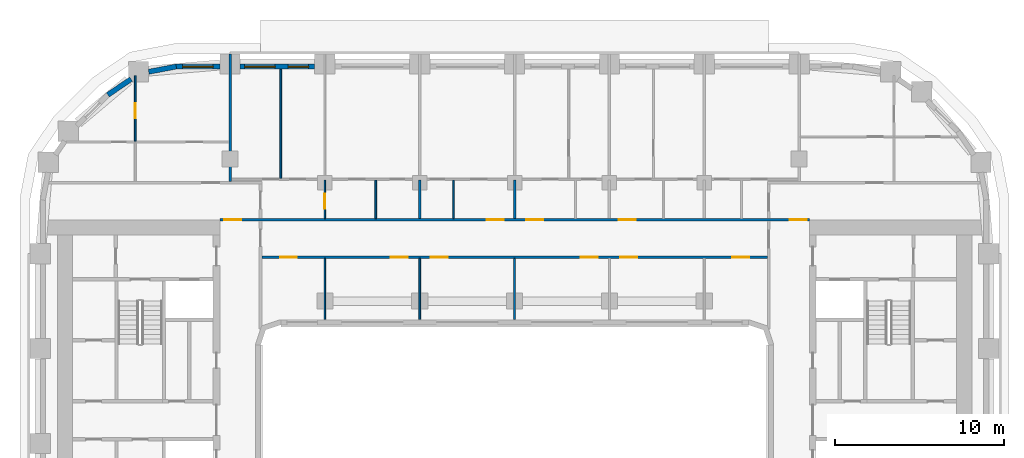
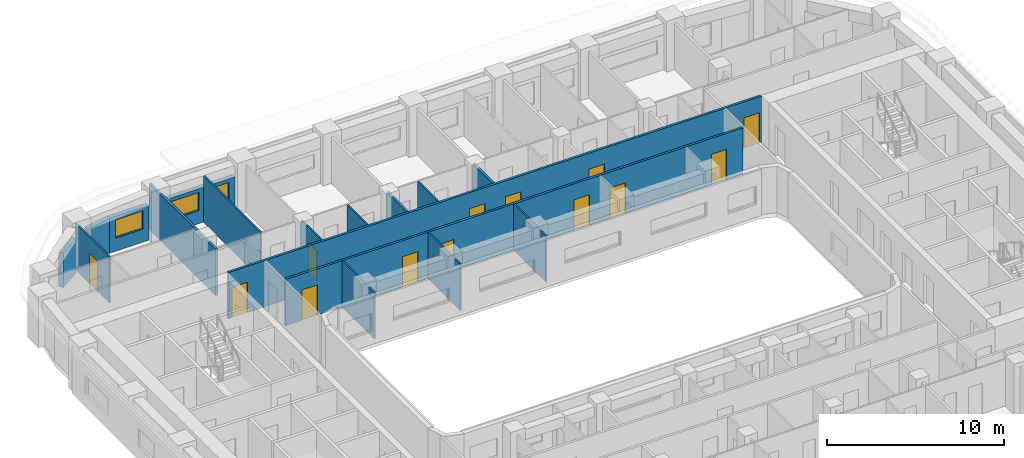
# One storey, part 9 of 23: 17 walls, 13 doors, 3 windows, 16 openings.
"""IFC4 building model written with IfcOpenShell, lengths in metres."""

from ifc_helpers import new_model, si_unit, direction, frame, frame_2d, origin, place, context, subcontext, project, spatial, rectangle, extrude, material, layer, layer_set, type_object, element, fill, save


model = new_model("IFC4")

# Units and contexts
model_context = context("Model", 3, precision=1e-05, world=origin(), true_north=direction((0.0, 1.0)))
body_context = subcontext(model_context, "Body", "Model", "MODEL_VIEW")
ifc_project = project(units=[si_unit("LENGTHUNIT", "METRE"), si_unit("AREAUNIT", "SQUARE_METRE"), si_unit("VOLUMEUNIT", "CUBIC_METRE"), si_unit("PLANEANGLEUNIT", "RADIAN"), si_unit("MASSUNIT", "GRAM", prefix="KILO")], contexts=[model_context])

# Site, building, storey
site_placement = place(None, origin())
site = spatial("IfcSite", under=ifc_project, at=site_placement, CompositionType="ELEMENT")
building_placement = place(site_placement, origin())
building = spatial("IfcBuilding", under=site, at=building_placement, Name="Kiln Ring Residences", CompositionType="ELEMENT")
storey_placement = place(building_placement, frame((0.0, 0.0, 118.300048828125)))
storey = spatial("IfcBuildingStorey", under=building, at=storey_placement, Name="L30", CompositionType="ELEMENT", Elevation=118.300048828125)

# Wall, openings, windows
ifc_material_1 = material(Name="Brick masonry, dark clay brick", Category="masonry")
ifc_layer_1 = layer(ifc_material_1, 0.300048828125)
ifc_layer_set_1 = layer_set([ifc_layer_1], Name="EW-300 BRICK WALL")
wall_type_1 = type_object("IfcWallType", Name="EW-300 BRICK WALL", PredefinedType="SOLIDWALL", material=ifc_layer_set_1)
wall_1_placement = place(storey_placement, frame((-11.800048828125, 22.25, 0.0), z_axis=(0.0, 0.0, 1.0), x_axis=(-1.0, 0.0, 0.0)))
wall_1 = element("IfcWall", 1, at=wall_1_placement, inside=storey, type_object=wall_type_1, Name="Facade wall L30 34", PredefinedType="SOLIDWALL", context=body_context, shape_type="SweptSolid", body=[
    extrude(rectangle(XDim=4.39990234375, YDim=0.300048828125, at=frame_2d((2.199951171875, 0.0))), origin(), (0.0, 0.0, 1.0), 2.39990234375),
])
opening_1_placement = place(wall_1_placement, frame((0.362548828125, 0.0, 0.60009765625)))
opening_1 = element("IfcOpeningElement", 2, at=opening_1_placement, cuts=wall_1, Name="Opening W1", PredefinedType="OPENING", context=body_context, shape_type="SweptSolid", body=[
    extrude(rectangle(XDim=1.199951171875, YDim=1.550048828125, at=frame_2d((0.60009765625, 0.77490234375))), frame((0.0, 0.159912109375, 0.0), z_axis=(0.0, -1.0, 0.0), x_axis=(1.0, 0.0, 0.0)), (0.0, 0.0, 1.0), 0.320068359375),
])
opening_2_placement = place(wall_1_placement, frame((2.33740234375, 0.0, 0.89990234375)))
opening_2 = element("IfcOpeningElement", 3, at=opening_2_placement, cuts=wall_1, Name="Opening W2", PredefinedType="OPENING", context=body_context, shape_type="SweptSolid", body=[
    extrude(rectangle(XDim=1.800048828125, YDim=1.25, at=frame_2d((0.89990234375, 0.625))), frame((0.0, 0.159912109375, 0.0), z_axis=(0.0, -1.0, 0.0), x_axis=(1.0, 0.0, 0.0)), (0.0, 0.0, 1.0), 0.320068359375),
])
ifc_material_2 = material(Name="Aluminium frame with double glazing", Category="aluminium")
window_type_1 = type_object("IfcWindowType", Name="WINDOW 1200 x 1550", PartitioningType="SINGLE_PANEL", PredefinedType="WINDOW", material=ifc_material_2)
window_1_placement = place(opening_1_placement, origin())
window_1 = element("IfcWindow", 4, at=window_1_placement, inside=storey, type_object=window_type_1, Name="Window L30 22", OverallHeight=1.550048828125, OverallWidth=1.199951171875, PartitioningType="SINGLE_PANEL", PredefinedType="WINDOW", context=body_context, shape_type="SweptSolid", body=[
    extrude(rectangle(XDim=1.199951171875, YDim=1.550048828125, at=frame_2d((0.60009765625, 0.77490234375))), frame((0.0, 0.030029296875, 0.0), z_axis=(0.0, -1.0, 0.0), x_axis=(1.0, 0.0, 0.0)), (0.0, 0.0, 1.0), 0.06005859375),
])
fill(opening_1, window_1)
ifc_material_3 = material(Name="Aluminium frame with double glazing", Category="aluminium")
window_type_2 = type_object("IfcWindowType", Name="WINDOW 1800 x 1250", PartitioningType="SINGLE_PANEL", PredefinedType="WINDOW", material=ifc_material_3)
window_2_placement = place(opening_2_placement, origin())
window_2 = element("IfcWindow", 5, at=window_2_placement, inside=storey, type_object=window_type_2, Name="Window L30 23", OverallHeight=1.25, OverallWidth=1.800048828125, PartitioningType="SINGLE_PANEL", PredefinedType="WINDOW", context=body_context, shape_type="SweptSolid", body=[
    extrude(rectangle(XDim=1.800048828125, YDim=1.25, at=frame_2d((0.89990234375, 0.625))), frame((0.0, 0.030029296875, 0.0), z_axis=(0.0, -1.0, 0.0), x_axis=(1.0, 0.0, 0.0)), (0.0, 0.0, 1.0), 0.06005859375),
])
fill(opening_2, window_2)

# Wall, opening, window
wall_2_placement = place(storey_placement, frame((-17.39990234375, 22.25, 0.0), z_axis=(0.0, 0.0, 1.0), x_axis=(-1.0, 0.0, 0.0)))
wall_2 = element("IfcWall", 6, at=wall_2_placement, inside=storey, type_object=wall_type_1, Name="Facade wall L30 35", PredefinedType="SOLIDWALL", context=body_context, shape_type="SweptSolid", body=[
    extrude(rectangle(XDim=2.60009765625, YDim=0.300048828125, at=frame_2d((1.300048828125, 0.0))), origin(), (0.0, 0.0, 1.0), 2.39990234375),
])
opening_3_placement = place(wall_2_placement, frame((0.39990234375, 0.0, 0.89990234375)))
opening_3 = element("IfcOpeningElement", 7, at=opening_3_placement, cuts=wall_2, Name="Opening W2", PredefinedType="OPENING", context=body_context, shape_type="SweptSolid", body=[
    extrude(rectangle(XDim=1.800048828125, YDim=1.25, at=frame_2d((0.89990234375, 0.625))), frame((0.0, 0.159912109375, 0.0), z_axis=(0.0, -1.0, 0.0), x_axis=(1.0, 0.0, 0.0)), (0.0, 0.0, 1.0), 0.320068359375),
])
window_3_placement = place(opening_3_placement, origin())
window_3 = element("IfcWindow", 8, at=window_3_placement, inside=storey, type_object=window_type_2, Name="Window L30 24", OverallHeight=1.25, OverallWidth=1.800048828125, PartitioningType="SINGLE_PANEL", PredefinedType="WINDOW", context=body_context, shape_type="SweptSolid", body=[
    extrude(rectangle(XDim=1.800048828125, YDim=1.25, at=frame_2d((0.89990234375, 0.625))), frame((0.0, 0.030029296875, 0.0), z_axis=(0.0, -1.0, 0.0), x_axis=(1.0, 0.0, 0.0)), (0.0, 0.0, 1.0), 0.06005859375),
])
fill(opening_3, window_3)

# Walls
for number, where, z_axis, x_axis, name in (
    (9, (-19.971923828125, 22.252685546875, 0.0), (0.0, 0.0, 1.0), (-0.98228820662, -0.187376303559, 0.0), "Facade wall L30 36"),
    (10, (-22.64306640625, 21.509765625, 0.0), (0.0, 0.0, 1.0), (-0.827049873329, -0.562128550268, 0.0), "Facade wall L30 37"),
):
    element("IfcWall", number, at=place(storey_placement, frame(where, z_axis=z_axis, x_axis=x_axis)), inside=storey, type_object=wall_type_1, Name=name, PredefinedType="SOLIDWALL", context=body_context, shape_type="SweptSolid", body=[
        extrude(rectangle(XDim=1.656005859375, YDim=0.300048828125, at=frame_2d((0.828125, 0.0))), origin(), (0.0, 0.0, 1.0), 2.39990234375),
    ])

# Wall, opening, door
ifc_material_4 = material(Name="Gypsum board on steel studs", Category="steel")
ifc_layer_2 = layer(ifc_material_4, 0.10009765625)
ifc_layer_set_2 = layer_set([ifc_layer_2], Name="PARTITION-100")
wall_type_2 = type_object("IfcWallType", Name="PARTITION-100", PredefinedType="PARTITIONING", material=ifc_layer_set_2)
wall_3_placement = place(storey_placement, frame((-22.39990234375, 17.85009765625, 0.0), z_axis=(0.0, 0.0, 1.0), x_axis=(0.0, 1.0, 0.0)))
wall_3 = element("IfcWall", 11, at=wall_3_placement, inside=storey, type_object=wall_type_2, Name="Partition 017", PredefinedType="PARTITIONING", context=body_context, shape_type="SweptSolid", body=[
    extrude(rectangle(XDim=3.869873046875, YDim=0.10009765625, at=frame_2d((1.93505859375, 0.0))), origin(), (0.0, 0.0, 1.0), 3.199951171875),
])
opening_4_placement = place(wall_3_placement, frame((1.347900390625, 0.0, 0.0)))
opening_4 = element("IfcOpeningElement", 12, at=opening_4_placement, cuts=wall_3, Name="Opening L30-D042", PredefinedType="OPENING", context=body_context, shape_type="SweptSolid", body=[
    extrude(rectangle(XDim=0.89990234375, YDim=2.10009765625, at=frame_2d((0.449951171875, 1.050048828125))), frame((0.0, 0.06005859375, 0.0), z_axis=(0.0, -1.0, 0.0), x_axis=(1.0, 0.0, 0.0)), (0.0, 0.0, 1.0), 0.1201171875),
])
ifc_material_5 = material(Name="Timber door leaf", Category="wood")
door_type_1 = type_object("IfcDoorType", Name="FLAT-DOOR-900-PL", OperationType="SINGLE_SWING_LEFT", PredefinedType="DOOR", material=ifc_material_5)
door_1_placement = place(opening_4_placement, origin())
door_1 = element("IfcDoor", 13, at=door_1_placement, inside=storey, type_object=door_type_1, Name="Door L30-D042", OperationType="SINGLE_SWING_RIGHT", OverallHeight=2.10009765625, OverallWidth=0.89990234375, PredefinedType="DOOR", context=body_context, shape_type="SweptSolid", body=[
    extrude(rectangle(XDim=0.89990234375, YDim=2.10009765625, at=frame_2d((0.449951171875, 1.050048828125))), frame((0.0, 0.02490234375, 0.0), z_axis=(0.0, -1.0, 0.0), x_axis=(1.0, 0.0, 0.0)), (0.0, 0.0, 1.0), 0.050048828125),
])
fill(opening_4, door_1)

# Walls
wall_4_placement = place(storey_placement, frame((-13.800048828125, 15.64990234375, 0.0), z_axis=(0.0, 0.0, 1.0), x_axis=(0.0, 1.0, 0.0)))
element("IfcWall", 14, at=wall_4_placement, inside=storey, type_object=wall_type_2, Name="Partition 024", PredefinedType="PARTITIONING", context=body_context, shape_type="SweptSolid", body=[
    extrude(rectangle(XDim=6.43017578125, YDim=0.10009765625, at=frame_2d((3.215087890625, 0.0))), origin(), (0.0, 0.0, 1.0), 3.199951171875),
])
wall_5_placement = place(storey_placement, frame((-11.199951171875, 7.320068359375, 0.0), z_axis=(0.0, 0.0, 1.0), x_axis=(0.0, 1.0, 0.0)))
element("IfcWall", 15, at=wall_5_placement, inside=storey, type_object=wall_type_2, Name="Partition 028", PredefinedType="PARTITIONING", context=body_context, shape_type="SweptSolid", body=[
    extrude(rectangle(XDim=3.60498046875, YDim=0.10009765625, at=frame_2d((1.802490234375, 0.0))), origin(), (0.0, 0.0, 1.0), 3.199951171875),
])

# Wall, opening, door
wall_6_placement = place(storey_placement, frame((-11.199951171875, 13.27490234375, 0.0), z_axis=(0.0, 0.0, 1.0), x_axis=(0.0, 1.0, 0.0)))
wall_6 = element("IfcWall", 16, at=wall_6_placement, inside=storey, type_object=wall_type_2, Name="Partition 029", PredefinedType="PARTITIONING", context=body_context, shape_type="SweptSolid", body=[
    extrude(rectangle(XDim=2.275146484375, YDim=0.10009765625, at=frame_2d((1.1376953125, 0.0))), origin(), (0.0, 0.0, 1.0), 3.199951171875),
])
opening_5_placement = place(wall_6_placement, frame((0.575927734375, 0.0, 0.0)))
opening_5 = element("IfcOpeningElement", 17, at=opening_5_placement, cuts=wall_6, Name="Opening L30-D016", PredefinedType="OPENING", context=body_context, shape_type="SweptSolid", body=[
    extrude(rectangle(XDim=0.89990234375, YDim=2.10009765625, at=frame_2d((0.449951171875, 1.050048828125))), frame((0.0, 0.06005859375, 0.0), z_axis=(0.0, -1.0, 0.0), x_axis=(1.0, 0.0, 0.0)), (0.0, 0.0, 1.0), 0.1201171875),
])
door_2_placement = place(opening_5_placement, origin())
door_2 = element("IfcDoor", 18, at=door_2_placement, inside=storey, type_object=door_type_1, Name="Door L30-D016", OperationType="SINGLE_SWING_RIGHT", OverallHeight=2.10009765625, OverallWidth=0.89990234375, PredefinedType="DOOR", context=body_context, shape_type="SweptSolid", body=[
    extrude(rectangle(XDim=0.89990234375, YDim=2.10009765625, at=frame_2d((0.449951171875, 1.050048828125))), frame((0.0, 0.02490234375, 0.0), z_axis=(0.0, -1.0, 0.0), x_axis=(1.0, 0.0, 0.0)), (0.0, 0.0, 1.0), 0.050048828125),
])
fill(opening_5, door_2)

# Walls
wall_7_placement = place(storey_placement, frame((-8.199951171875, 13.27490234375, 0.0), z_axis=(0.0, 0.0, 1.0), x_axis=(0.0, 1.0, 0.0)))
element("IfcWall", 19, at=wall_7_placement, inside=storey, type_object=wall_type_2, Name="Partition 031", PredefinedType="PARTITIONING", context=body_context, shape_type="SweptSolid", body=[
    extrude(rectangle(XDim=2.275146484375, YDim=0.10009765625, at=frame_2d((1.1376953125, 0.0))), origin(), (0.0, 0.0, 1.0), 3.199951171875),
])
wall_8_placement = place(storey_placement, frame((-5.60009765625, 7.320068359375, 0.0), z_axis=(0.0, 0.0, 1.0), x_axis=(0.0, 1.0, 0.0)))
element("IfcWall", 20, at=wall_8_placement, inside=storey, type_object=wall_type_2, Name="Partition 033", PredefinedType="PARTITIONING", context=body_context, shape_type="SweptSolid", body=[
    extrude(rectangle(XDim=3.60498046875, YDim=0.10009765625, at=frame_2d((1.802490234375, 0.0))), origin(), (0.0, 0.0, 1.0), 3.199951171875),
])
wall_9_placement = place(storey_placement, frame((-3.60009765625, 13.27490234375, 0.0), z_axis=(0.0, 0.0, 1.0), x_axis=(0.0, 1.0, 0.0)))
element("IfcWall", 21, at=wall_9_placement, inside=storey, type_object=wall_type_2, Name="Partition 039", PredefinedType="PARTITIONING", context=body_context, shape_type="SweptSolid", body=[
    extrude(rectangle(XDim=2.275146484375, YDim=0.10009765625, at=frame_2d((1.1376953125, 0.0))), origin(), (0.0, 0.0, 1.0), 3.199951171875),
])
wall_10_placement = place(storey_placement, frame((0.0, 7.320068359375, 0.0), z_axis=(0.0, 0.0, 1.0), x_axis=(0.0, 1.0, 0.0)))
element("IfcWall", 22, at=wall_10_placement, inside=storey, type_object=wall_type_2, Name="Partition 044", PredefinedType="PARTITIONING", context=body_context, shape_type="SweptSolid", body=[
    extrude(rectangle(XDim=3.60498046875, YDim=0.10009765625, at=frame_2d((1.802490234375, 0.0))), origin(), (0.0, 0.0, 1.0), 3.199951171875),
])

# Wall, openings, doors
ifc_material_6 = material(Name="Brick masonry partition", Category="masonry")
ifc_layer_3 = layer(ifc_material_6, 0.14990234375)
ifc_layer_set_3 = layer_set([ifc_layer_3], Name="PARTITION-150-ei60")
wall_type_3 = type_object("IfcWallType", Name="PARTITION-150-ei60", PredefinedType="PARTITIONING", material=ifc_layer_set_3)
wall_11_placement = place(storey_placement, frame((-14.925048828125, 11.0, 0.0), z_axis=(0.0, 0.0, 1.0), x_axis=(1.0, 0.0, 0.0)))
wall_11 = element("IfcWall", 23, at=wall_11_placement, inside=storey, type_object=wall_type_3, Name="Partition 007", PredefinedType="PARTITIONING", context=body_context, shape_type="SweptSolid", body=[
    extrude(rectangle(XDim=29.85009765625, YDim=0.14990234375, at=frame_2d((14.925048828125, 0.0))), origin(), (0.0, 0.0, 1.0), 3.199951171875),
])
opening_6_placement = place(wall_11_placement, frame((1.075927734375, 0.0, 0.0)))
opening_6 = element("IfcOpeningElement", 24, at=opening_6_placement, cuts=wall_11, Name="Opening L30-D009", PredefinedType="OPENING", context=body_context, shape_type="SweptSolid", body=[
    extrude(rectangle(XDim=1.0, YDim=2.10009765625, at=frame_2d((0.5, 1.050048828125))), frame((0.0, 0.0849609375, 0.0), z_axis=(0.0, -1.0, 0.0), x_axis=(1.0, 0.0, 0.0)), (0.0, 0.0, 1.0), 0.169921875),
])
opening_7_placement = place(wall_11_placement, frame((7.625, 0.0, 0.0)))
opening_7 = element("IfcOpeningElement", 25, at=opening_7_placement, cuts=wall_11, Name="Opening L30-D010", PredefinedType="OPENING", context=body_context, shape_type="SweptSolid", body=[
    extrude(rectangle(XDim=1.0, YDim=2.10009765625, at=frame_2d((0.5, 1.050048828125))), frame((0.0, 0.0849609375, 0.0), z_axis=(0.0, -1.0, 0.0), x_axis=(1.0, 0.0, 0.0)), (0.0, 0.0, 1.0), 0.169921875),
])
opening_8_placement = place(wall_11_placement, frame((9.97509765625, 0.0, 0.0)))
opening_8 = element("IfcOpeningElement", 26, at=opening_8_placement, cuts=wall_11, Name="Opening L30-D011", PredefinedType="OPENING", context=body_context, shape_type="SweptSolid", body=[
    extrude(rectangle(XDim=1.0, YDim=2.10009765625, at=frame_2d((0.5, 1.050048828125))), frame((0.0, 0.0849609375, 0.0), z_axis=(0.0, -1.0, 0.0), x_axis=(1.0, 0.0, 0.0)), (0.0, 0.0, 1.0), 0.169921875),
])
opening_9_placement = place(wall_11_placement, frame((18.824951171875, 0.0, 0.0)))
opening_9 = element("IfcOpeningElement", 27, at=opening_9_placement, cuts=wall_11, Name="Opening L30-D012", PredefinedType="OPENING", context=body_context, shape_type="SweptSolid", body=[
    extrude(rectangle(XDim=1.0, YDim=2.10009765625, at=frame_2d((0.5, 1.050048828125))), frame((0.0, 0.0849609375, 0.0), z_axis=(0.0, -1.0, 0.0), x_axis=(1.0, 0.0, 0.0)), (0.0, 0.0, 1.0), 0.169921875),
])
opening_10_placement = place(wall_11_placement, frame((21.175048828125, 0.0, 0.0)))
opening_10 = element("IfcOpeningElement", 28, at=opening_10_placement, cuts=wall_11, Name="Opening L30-D013", PredefinedType="OPENING", context=body_context, shape_type="SweptSolid", body=[
    extrude(rectangle(XDim=1.0, YDim=2.10009765625, at=frame_2d((0.5, 1.050048828125))), frame((0.0, 0.0849609375, 0.0), z_axis=(0.0, -1.0, 0.0), x_axis=(1.0, 0.0, 0.0)), (0.0, 0.0, 1.0), 0.169921875),
])
opening_11_placement = place(wall_11_placement, frame((27.77490234375, 0.0, 0.0)))
opening_11 = element("IfcOpeningElement", 29, at=opening_11_placement, cuts=wall_11, Name="Opening L30-D014", PredefinedType="OPENING", context=body_context, shape_type="SweptSolid", body=[
    extrude(rectangle(XDim=1.0, YDim=2.10009765625, at=frame_2d((0.5, 1.050048828125))), frame((0.0, 0.0849609375, 0.0), z_axis=(0.0, -1.0, 0.0), x_axis=(1.0, 0.0, 0.0)), (0.0, 0.0, 1.0), 0.169921875),
])
ifc_material_7 = material(Name="Steel faced fire door leaf", Category="steel")
door_type_2 = type_object("IfcDoorType", Name="FLAT-DOOR-1000-FR", OperationType="SINGLE_SWING_LEFT", PredefinedType="DOOR", material=ifc_material_7)
door_3_placement = place(opening_6_placement, origin())
door_3 = element("IfcDoor", 30, at=door_3_placement, inside=storey, type_object=door_type_2, Name="Door L30-D009", OperationType="SINGLE_SWING_LEFT", OverallHeight=2.10009765625, OverallWidth=1.0, PredefinedType="DOOR", context=body_context, shape_type="SweptSolid", body=[
    extrude(rectangle(XDim=1.0, YDim=2.10009765625, at=frame_2d((0.5, 1.050048828125))), frame((0.0, 0.02490234375, 0.0), z_axis=(0.0, -1.0, 0.0), x_axis=(1.0, 0.0, 0.0)), (0.0, 0.0, 1.0), 0.050048828125),
])
fill(opening_6, door_3)
door_4_placement = place(opening_7_placement, origin())
door_4 = element("IfcDoor", 31, at=door_4_placement, inside=storey, type_object=door_type_2, Name="Door L30-D010", OperationType="SINGLE_SWING_RIGHT", OverallHeight=2.10009765625, OverallWidth=1.0, PredefinedType="DOOR", context=body_context, shape_type="SweptSolid", body=[
    extrude(rectangle(XDim=1.0, YDim=2.10009765625, at=frame_2d((0.5, 1.050048828125))), frame((0.0, 0.02490234375, 0.0), z_axis=(0.0, -1.0, 0.0), x_axis=(1.0, 0.0, 0.0)), (0.0, 0.0, 1.0), 0.050048828125),
])
fill(opening_7, door_4)
door_5_placement = place(opening_8_placement, origin())
door_5 = element("IfcDoor", 32, at=door_5_placement, inside=storey, type_object=door_type_2, Name="Door L30-D011", OperationType="SINGLE_SWING_LEFT", OverallHeight=2.10009765625, OverallWidth=1.0, PredefinedType="DOOR", context=body_context, shape_type="SweptSolid", body=[
    extrude(rectangle(XDim=1.0, YDim=2.10009765625, at=frame_2d((0.5, 1.050048828125))), frame((0.0, 0.02490234375, 0.0), z_axis=(0.0, -1.0, 0.0), x_axis=(1.0, 0.0, 0.0)), (0.0, 0.0, 1.0), 0.050048828125),
])
fill(opening_8, door_5)
door_6_placement = place(opening_9_placement, origin())
door_6 = element("IfcDoor", 33, at=door_6_placement, inside=storey, type_object=door_type_2, Name="Door L30-D012", OperationType="SINGLE_SWING_RIGHT", OverallHeight=2.10009765625, OverallWidth=1.0, PredefinedType="DOOR", context=body_context, shape_type="SweptSolid", body=[
    extrude(rectangle(XDim=1.0, YDim=2.10009765625, at=frame_2d((0.5, 1.050048828125))), frame((0.0, 0.02490234375, 0.0), z_axis=(0.0, -1.0, 0.0), x_axis=(1.0, 0.0, 0.0)), (0.0, 0.0, 1.0), 0.050048828125),
])
fill(opening_9, door_6)
door_7_placement = place(opening_10_placement, origin())
door_7 = element("IfcDoor", 34, at=door_7_placement, inside=storey, type_object=door_type_2, Name="Door L30-D013", OperationType="SINGLE_SWING_LEFT", OverallHeight=2.10009765625, OverallWidth=1.0, PredefinedType="DOOR", context=body_context, shape_type="SweptSolid", body=[
    extrude(rectangle(XDim=1.0, YDim=2.10009765625, at=frame_2d((0.5, 1.050048828125))), frame((0.0, 0.02490234375, 0.0), z_axis=(0.0, -1.0, 0.0), x_axis=(1.0, 0.0, 0.0)), (0.0, 0.0, 1.0), 0.050048828125),
])
fill(opening_10, door_7)
door_8_placement = place(opening_11_placement, origin())
door_8 = element("IfcDoor", 35, at=door_8_placement, inside=storey, type_object=door_type_2, Name="Door L30-D014", OperationType="SINGLE_SWING_RIGHT", OverallHeight=2.10009765625, OverallWidth=1.0, PredefinedType="DOOR", context=body_context, shape_type="SweptSolid", body=[
    extrude(rectangle(XDim=1.0, YDim=2.10009765625, at=frame_2d((0.5, 1.050048828125))), frame((0.0, 0.02490234375, 0.0), z_axis=(0.0, -1.0, 0.0), x_axis=(1.0, 0.0, 0.0)), (0.0, 0.0, 1.0), 0.050048828125),
])
fill(opening_11, door_8)

wall_12_placement = place(storey_placement, frame((-17.39990234375, 13.199951171875, 0.0), z_axis=(0.0, 0.0, 1.0), x_axis=(1.0, 0.0, 0.0)))
wall_12 = element("IfcWall", 36, at=wall_12_placement, inside=storey, type_object=wall_type_3, Name="Partition 008", PredefinedType="PARTITIONING", context=body_context, shape_type="SweptSolid", body=[
    extrude(rectangle(XDim=34.7998046875, YDim=0.14990234375, at=frame_2d((17.39990234375, 0.0))), origin(), (0.0, 0.0, 1.0), 3.199951171875),
])
opening_12_placement = place(wall_12_placement, frame((0.25, 0.0, 0.0)))
opening_12 = element("IfcOpeningElement", 37, at=opening_12_placement, cuts=wall_12, Name="Opening L30-D003", PredefinedType="OPENING", context=body_context, shape_type="SweptSolid", body=[
    extrude(rectangle(XDim=1.0, YDim=2.10009765625, at=frame_2d((0.5, 1.050048828125))), frame((0.0, 0.0849609375, 0.0), z_axis=(0.0, -1.0, 0.0), x_axis=(1.0, 0.0, 0.0)), (0.0, 0.0, 1.0), 0.169921875),
])
opening_13_placement = place(wall_12_placement, frame((33.64990234375, 0.0, 0.0)))
opening_13 = element("IfcOpeningElement", 38, at=opening_13_placement, cuts=wall_12, Name="Opening L30-D004", PredefinedType="OPENING", context=body_context, shape_type="SweptSolid", body=[
    extrude(rectangle(XDim=1.0, YDim=2.10009765625, at=frame_2d((0.5, 1.050048828125))), frame((0.0, 0.0849609375, 0.0), z_axis=(0.0, -1.0, 0.0), x_axis=(1.0, 0.0, 0.0)), (0.0, 0.0, 1.0), 0.169921875),
])
opening_14_placement = place(wall_12_placement, frame((15.75, 0.0, 0.0)))
opening_14 = element("IfcOpeningElement", 39, at=opening_14_placement, cuts=wall_12, Name="Opening L30-D021", PredefinedType="OPENING", context=body_context, shape_type="SweptSolid", body=[
    extrude(rectangle(XDim=1.0, YDim=2.10009765625, at=frame_2d((0.5, 1.050048828125))), frame((0.0, 0.0849609375, 0.0), z_axis=(0.0, -1.0, 0.0), x_axis=(1.0, 0.0, 0.0)), (0.0, 0.0, 1.0), 0.169921875),
])
opening_15_placement = place(wall_12_placement, frame((18.10009765625, 0.0, 0.0)))
opening_15 = element("IfcOpeningElement", 40, at=opening_15_placement, cuts=wall_12, Name="Opening L30-D024", PredefinedType="OPENING", context=body_context, shape_type="SweptSolid", body=[
    extrude(rectangle(XDim=1.0, YDim=2.10009765625, at=frame_2d((0.5, 1.050048828125))), frame((0.0, 0.0849609375, 0.0), z_axis=(0.0, -1.0, 0.0), x_axis=(1.0, 0.0, 0.0)), (0.0, 0.0, 1.0), 0.169921875),
])
opening_16_placement = place(wall_12_placement, frame((23.550048828125, 0.0, 0.0)))
opening_16 = element("IfcOpeningElement", 41, at=opening_16_placement, cuts=wall_12, Name="Opening L30-D028", PredefinedType="OPENING", context=body_context, shape_type="SweptSolid", body=[
    extrude(rectangle(XDim=1.0, YDim=2.10009765625, at=frame_2d((0.5, 1.050048828125))), frame((0.0, 0.0849609375, 0.0), z_axis=(0.0, -1.0, 0.0), x_axis=(1.0, 0.0, 0.0)), (0.0, 0.0, 1.0), 0.169921875),
])
door_9_placement = place(opening_12_placement, origin())
door_9 = element("IfcDoor", 42, at=door_9_placement, inside=storey, type_object=door_type_2, Name="Door L30-D003", OperationType="SINGLE_SWING_LEFT", OverallHeight=2.10009765625, OverallWidth=1.0, PredefinedType="DOOR", context=body_context, shape_type="SweptSolid", body=[
    extrude(rectangle(XDim=1.0, YDim=2.10009765625, at=frame_2d((0.5, 1.050048828125))), frame((0.0, 0.02490234375, 0.0), z_axis=(0.0, -1.0, 0.0), x_axis=(1.0, 0.0, 0.0)), (0.0, 0.0, 1.0), 0.050048828125),
])
fill(opening_12, door_9)
door_10_placement = place(opening_13_placement, origin())
door_10 = element("IfcDoor", 43, at=door_10_placement, inside=storey, type_object=door_type_2, Name="Door L30-D004", OperationType="SINGLE_SWING_RIGHT", OverallHeight=2.10009765625, OverallWidth=1.0, PredefinedType="DOOR", context=body_context, shape_type="SweptSolid", body=[
    extrude(rectangle(XDim=1.0, YDim=2.10009765625, at=frame_2d((0.5, 1.050048828125))), frame((0.0, 0.02490234375, 0.0), z_axis=(0.0, -1.0, 0.0), x_axis=(1.0, 0.0, 0.0)), (0.0, 0.0, 1.0), 0.050048828125),
])
fill(opening_13, door_10)
door_11_placement = place(opening_14_placement, origin())
door_11 = element("IfcDoor", 44, at=door_11_placement, inside=storey, type_object=door_type_2, Name="Door L30-D021", OperationType="SINGLE_SWING_LEFT", OverallHeight=2.10009765625, OverallWidth=1.0, PredefinedType="DOOR", context=body_context, shape_type="SweptSolid", body=[
    extrude(rectangle(XDim=1.0, YDim=2.10009765625, at=frame_2d((0.5, 1.050048828125))), frame((0.0, 0.02490234375, 0.0), z_axis=(0.0, -1.0, 0.0), x_axis=(1.0, 0.0, 0.0)), (0.0, 0.0, 1.0), 0.050048828125),
])
fill(opening_14, door_11)
door_12_placement = place(opening_15_placement, origin())
door_12 = element("IfcDoor", 45, at=door_12_placement, inside=storey, type_object=door_type_2, Name="Door L30-D024", OperationType="SINGLE_SWING_RIGHT", OverallHeight=2.10009765625, OverallWidth=1.0, PredefinedType="DOOR", context=body_context, shape_type="SweptSolid", body=[
    extrude(rectangle(XDim=1.0, YDim=2.10009765625, at=frame_2d((0.5, 1.050048828125))), frame((0.0, 0.02490234375, 0.0), z_axis=(0.0, -1.0, 0.0), x_axis=(1.0, 0.0, 0.0)), (0.0, 0.0, 1.0), 0.050048828125),
])
fill(opening_15, door_12)
door_13_placement = place(opening_16_placement, origin())
door_13 = element("IfcDoor", 46, at=door_13_placement, inside=storey, type_object=door_type_2, Name="Door L30-D028", OperationType="SINGLE_SWING_RIGHT", OverallHeight=2.10009765625, OverallWidth=1.0, PredefinedType="DOOR", context=body_context, shape_type="SweptSolid", body=[
    extrude(rectangle(XDim=1.0, YDim=2.10009765625, at=frame_2d((0.5, 1.050048828125))), frame((0.0, 0.02490234375, 0.0), z_axis=(0.0, -1.0, 0.0), x_axis=(1.0, 0.0, 0.0)), (0.0, 0.0, 1.0), 0.050048828125),
])
fill(opening_16, door_13)

# Walls
wall_13_placement = place(storey_placement, frame((-16.800048828125, 15.47509765625, 0.0), z_axis=(0.0, 0.0, 1.0), x_axis=(0.0, 1.0, 0.0)))
element("IfcWall", 47, at=wall_13_placement, inside=storey, type_object=wall_type_3, Name="Partition 019", PredefinedType="PARTITIONING", context=body_context, shape_type="SweptSolid", body=[
    extrude(rectangle(XDim=7.5048828125, YDim=0.14990234375, at=frame_2d((3.75244140625, 0.0))), origin(), (0.0, 0.0, 1.0), 3.199951171875),
])
for number, where, z_axis, x_axis, name in (
    (48, (-5.60009765625, 13.27490234375, 0.0), (0.0, 0.0, 1.0), (0.0, 1.0, 0.0), "Partition 037"),
    (49, (0.0, 13.27490234375, 0.0), (0.0, 0.0, 1.0), (0.0, 1.0, 0.0), "Partition 045"),
):
    element("IfcWall", number, at=place(storey_placement, frame(where, z_axis=z_axis, x_axis=x_axis)), inside=storey, type_object=wall_type_3, Name=name, PredefinedType="PARTITIONING", context=body_context, shape_type="SweptSolid", body=[
        extrude(rectangle(XDim=2.275146484375, YDim=0.14990234375, at=frame_2d((1.1376953125, 0.0))), origin(), (0.0, 0.0, 1.0), 3.199951171875),
    ])

save(model, "model.ifc")
